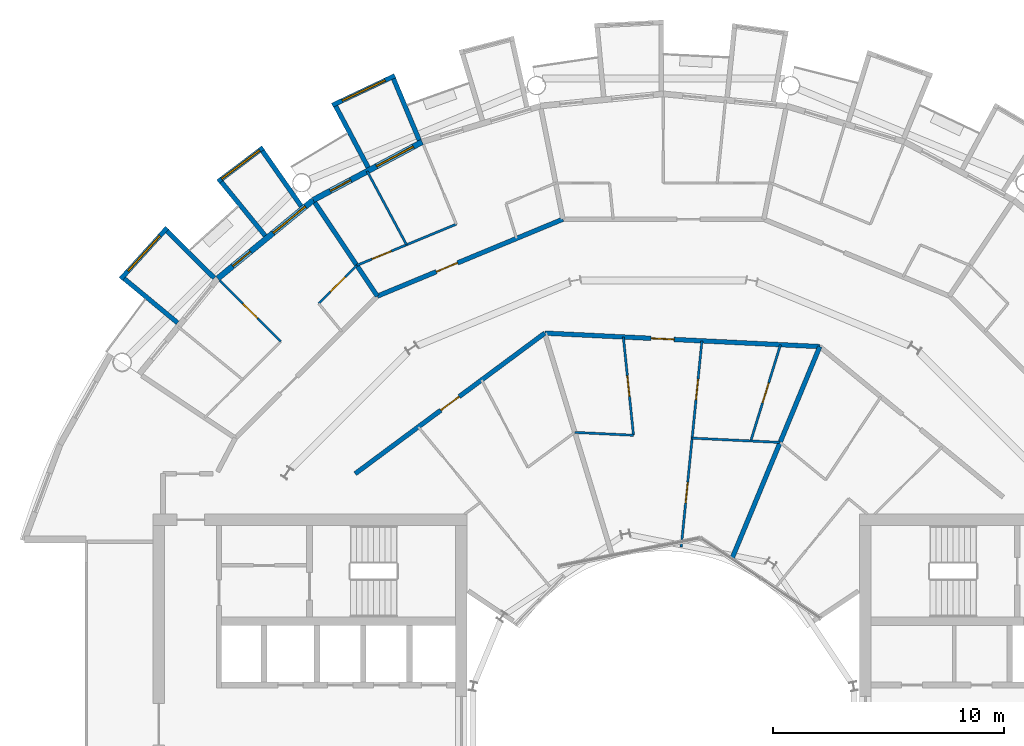
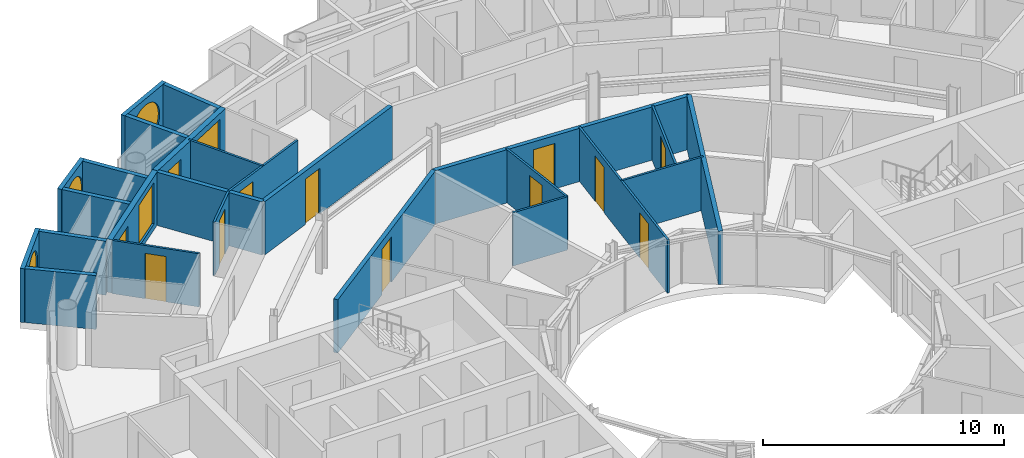
# One storey, part 20 of 27: 25 walls, 12 doors, 5 windows, 17 openings.
"""IFC4 building model written with IfcOpenShell, lengths in metres."""

import ifcopenshell
import ifcopenshell.guid

model = None  # the IFC model being written
_history = None  # IfcOwnerHistory: only IFC2X3 demands one
_inside = {}  # id of a spatial element -> (the spatial element, [elements in it])
_under = {}  # id of a project, library or spatial element -> (it, [spatial elements below it])
_declared = {}  # id of a project -> (the project, [libraries it declares])
_typed = {}  # id of a type object -> (the type object, [elements of that type])
_made_of = {}  # id of a material, layer set ... -> (it, [elements and type objects made of it])


def new_model(schema):
    """Start an empty IFC model of exactly this schema.

    Asked for "IFC4X3", IfcOpenShell would pick the latest addendum, in which some entities
    have other attributes; the version numbers below select the first issue.
    IFC2X3 requires an IfcOwnerHistory on every rooted entity: one is made here for all.
    """
    global model, _history
    if schema == "IFC4X3":
        model = ifcopenshell.file(schema_version=(4, 3, 0, 0))
    else:
        model = ifcopenshell.file(schema=schema)
    _inside.clear()
    _under.clear()
    _declared.clear()
    _typed.clear()
    _made_of.clear()
    _history = None
    if model.schema == "IFC2X3":
        org = make("IfcOrganization", Name="unknown")
        user = make(
            "IfcPersonAndOrganization",
            ThePerson=make("IfcPerson", FamilyName="unknown"),
            TheOrganization=org,
        )
        app = make(
            "IfcApplication",
            ApplicationDeveloper=org,
            Version="unknown",
            ApplicationFullName="unknown",
            ApplicationIdentifier="unknown",
        )
        _history = make(
            "IfcOwnerHistory",
            OwningUser=user,
            OwningApplication=app,
            ChangeAction="ADDED",
            CreationDate=0,
        )
    return model


def make(cls, **values):
    """One entity of the class cls with the attributes given. An attribute that is None is left unset."""
    return model.create_entity(
        cls, **{name: value for name, value in values.items() if value is not None}
    )


def rooted(cls, **values):
    """An entity with a GlobalId (a new one), such as an element, a storey or a relation."""
    return make(cls, GlobalId=ifcopenshell.guid.new(), OwnerHistory=_history, **values)


def si_unit(unit_type, name, prefix=None):
    """IfcSIUnit, for example si_unit("LENGTHUNIT", "METRE", prefix="MILLI")."""
    return make("IfcSIUnit", UnitType=unit_type, Prefix=prefix, Name=name)


def assignment(units):
    """IfcUnitAssignment: the units of a project."""
    return None if units is None else make("IfcUnitAssignment", Units=units)


def point(xyz):
    """IfcCartesianPoint."""
    return None if xyz is None else make("IfcCartesianPoint", Coordinates=xyz)


def direction(xyz):
    """IfcDirection."""
    return None if xyz is None else make("IfcDirection", DirectionRatios=xyz)


def frame(location, z_axis=None, x_axis=None):
    """IfcAxis2Placement3D, a coordinate frame: its origin and axes. An axis left out is left unset."""
    return make(
        "IfcAxis2Placement3D",
        Location=point(location),
        Axis=direction(z_axis),
        RefDirection=direction(x_axis),
    )


def frame_2d(location, x_axis=None):
    """IfcAxis2Placement2D, a coordinate frame in the plane: its origin and x axis."""
    return make(
        "IfcAxis2Placement2D", Location=point(location), RefDirection=direction(x_axis)
    )


def origin():
    """The frame at (0, 0, 0) with its axes left unset."""
    return frame((0.0, 0.0, 0.0))


def place(relative_to, where):
    """IfcLocalPlacement: puts the frame where relative to a parent placement (None: the world)."""
    return make(
        "IfcLocalPlacement", PlacementRelTo=relative_to, RelativePlacement=where
    )


def context(
    kind, dimensions, precision=None, world=None, true_north=None, identifier=None
):
    """IfcGeometricRepresentationContext, for example the 3D "Model" context."""
    return make(
        "IfcGeometricRepresentationContext",
        ContextIdentifier=identifier,
        ContextType=kind,
        CoordinateSpaceDimension=dimensions,
        Precision=precision,
        WorldCoordinateSystem=world,
        TrueNorth=true_north,
    )


def subcontext(parent, identifier, kind, view, scale=None):
    """IfcGeometricRepresentationSubContext, for example "Body" below "Model"."""
    return make(
        "IfcGeometricRepresentationSubContext",
        ContextIdentifier=identifier,
        ContextType=kind,
        ParentContext=parent,
        TargetScale=scale,
        TargetView=view,
    )


def project(units=None, contexts=None):
    """IfcProject with its units and contexts."""
    return rooted(
        "IfcProject",
        Name="project",
        RepresentationContexts=contexts,
        UnitsInContext=assignment(units),
    )


def spatial(cls, under=None, at=None, **own):
    """A site, building, storey or space (cls), placed at a placement, below another one or the project."""
    s = rooted(cls, ObjectPlacement=at, **own)
    if under is not None:
        _under.setdefault(under.id(), (under, []))[1].append(s)
    return s


def profile(cls, at=None, kind="AREA", **sizes):
    """A parametric profile (cls). Its sizes go by their IFC names, for example OverallWidth=200.0."""
    return make(cls, ProfileType=kind, Position=at, **sizes)


def rectangle(**sizes):
    """IfcRectangleProfileDef."""
    return profile("IfcRectangleProfileDef", **sizes)


def circle(**sizes):
    """IfcCircleProfileDef."""
    return profile("IfcCircleProfileDef", **sizes)


def extrude(swept, where, along, depth):
    """IfcExtrudedAreaSolid: the profile swept, set in the frame where, extruded along a direction by depth."""
    return make(
        "IfcExtrudedAreaSolid",
        SweptArea=swept,
        Position=where,
        ExtrudedDirection=direction(along),
        Depth=depth,
    )


def shape(context_of_items, identifier, shape_type, items):
    """IfcShapeRepresentation: the items that make up one representation, for example the "Body"."""
    return make(
        "IfcShapeRepresentation",
        ContextOfItems=context_of_items,
        RepresentationIdentifier=identifier,
        RepresentationType=shape_type,
        Items=items,
    )


def material(Name=None, Category=None):
    """IfcMaterial."""
    return make("IfcMaterial", Name=Name, Category=Category)


def layer(
    of_material, thickness, ventilated=None, Name=None, Category=None, Priority=None
):
    """IfcMaterialLayer: one layer of a wall or slab, of a material (None: an air gap)."""
    return make(
        "IfcMaterialLayer",
        Material=of_material,
        LayerThickness=thickness,
        IsVentilated=ventilated,
        Name=Name,
        Category=Category,
        Priority=Priority,
    )


def layer_set(layers, Name=None):
    """IfcMaterialLayerSet."""
    return make("IfcMaterialLayerSet", MaterialLayers=layers, LayerSetName=Name)


def made_of(thing, what):
    """Note that an element or type object is made of a material, layer set ...; save() writes the relation."""
    if what is not None:
        _made_of.setdefault(what.id(), (what, []))[1].append(thing)
    return thing


def type_object(cls, material=None, **own):
    """A type object (cls), such as IfcWallType, which elements share."""
    return made_of(rooted(cls, **own), material)


def element(
    cls,
    number,
    at=None,
    inside=None,
    cuts=None,
    type_object=None,
    material=None,
    context=None,
    identifier="Body",
    shape_type=None,
    held_by="IfcProductDefinitionShape",
    body=None,
    shapes=None,
    **own,
):
    """One element of the class cls, such as IfcWall. Its Tag is "e" and its number.

    at: its placement. inside: the storey or other place that contains it. cuts: it is an
    opening in that element (IfcRelVoidsElement). A single representation is given by context,
    identifier, shape_type and body (its items); several are given by shapes. held_by: the class
    of the entity that holds the representations. save() writes the other relations.
    """
    e = rooted(cls, Tag="e%d" % number, ObjectPlacement=at, **own)
    if body is not None:
        shapes = [shape(context, identifier, shape_type, body)]
    if shapes is not None:
        e.Representation = make(held_by, Representations=shapes)
    if inside is not None:
        _inside.setdefault(inside.id(), (inside, []))[1].append(e)
    if cuts is not None:
        rooted(
            "IfcRelVoidsElement", RelatingBuildingElement=cuts, RelatedOpeningElement=e
        )
    if type_object is not None:
        _typed.setdefault(type_object.id(), (type_object, []))[1].append(e)
    return made_of(e, material)


def fill(opening, filler):
    """IfcRelFillsElement: the door or window that sits in an opening."""
    return rooted(
        "IfcRelFillsElement",
        RelatingOpeningElement=opening,
        RelatedBuildingElement=filler,
    )


def aggregate(whole, parts):
    """IfcRelAggregates: a whole, such as a stair, and the parts it consists of."""
    return rooted("IfcRelAggregates", RelatingObject=whole, RelatedObjects=parts)


def save(model, path):
    """Write the relations noted so far, then the file.

    IfcRelAggregates (storeys below a building ...), IfcRelContainedInSpatialStructure (elements
    in a storey), IfcRelDefinesByType, IfcRelAssociatesMaterial and IfcRelDeclares: one each for
    every whole, place, type object, material and project.
    """
    for whole, parts in _under.values():
        aggregate(whole, parts)
    for where, things in _inside.values():
        rooted(
            "IfcRelContainedInSpatialStructure",
            RelatedElements=things,
            RelatingStructure=where,
        )
    for kind, things in _typed.values():
        rooted("IfcRelDefinesByType", RelatedObjects=things, RelatingType=kind)
    for what, things in _made_of.values():
        rooted("IfcRelAssociatesMaterial", RelatedObjects=things, RelatingMaterial=what)
    for by, libraries in _declared.values():
        rooted("IfcRelDeclares", RelatingContext=by, RelatedDefinitions=libraries)
    model.write(path)


model = new_model("IFC4")

# Units and contexts
model_context = context("Model", 3, precision=1e-05, world=origin(), true_north=direction((0.0, 1.0)))
body_context = subcontext(model_context, "Body", "Model", "MODEL_VIEW")
ifc_project = project(units=[si_unit("LENGTHUNIT", "METRE"), si_unit("AREAUNIT", "SQUARE_METRE"), si_unit("VOLUMEUNIT", "CUBIC_METRE"), si_unit("PLANEANGLEUNIT", "RADIAN"), si_unit("MASSUNIT", "GRAM", prefix="KILO")], contexts=[model_context])

# Site, building, storey
site_placement = place(None, origin())
site = spatial("IfcSite", under=ifc_project, at=site_placement, CompositionType="ELEMENT")
building_placement = place(site_placement, origin())
building = spatial("IfcBuilding", under=site, at=building_placement, Name="Maasbend Ring Residences", CompositionType="ELEMENT")
storey_placement = place(building_placement, frame((0.0, 0.0, 167.699951171875)))
storey = spatial("IfcBuildingStorey", under=building, at=storey_placement, Name="L48", CompositionType="ELEMENT", Elevation=167.699951171875)

# Wall, opening, door
ifc_material_1 = material(Name="Concrete C30/37", Category="concrete")
ifc_layer_1 = layer(ifc_material_1, 0.199951171875)
ifc_layer_set_1 = layer_set([ifc_layer_1], Name="Concrete C30/37")
wall_type_1 = type_object("IfcWallType", Name="CORRIDOR WALL 200 CONCRETE", PredefinedType="PARTITIONING", material=ifc_layer_set_1)
wall_1_placement = place(storey_placement, frame((-13.34912109375, 10.847900390625, 0.0), z_axis=(0.0, 0.0, 1.0), x_axis=(0.803229232922, 0.595670042371, 0.0)))
wall_1 = element("IfcWall", 1, at=wall_1_placement, inside=storey, type_object=wall_type_1, Name="U-L48-w104", PredefinedType="PARTITIONING", context=body_context, shape_type="SweptSolid", body=[
    extrude(rectangle(XDim=10.223876953125, YDim=0.199951171875, at=frame_2d((5.11181640625, 0.0))), origin(), (0.0, 0.0, 1.0), 2.699951171875),
])
opening_1_placement = place(wall_1_placement, frame((4.612060546875, 0.0, 0.0)))
opening_1 = element("IfcOpeningElement", 2, at=opening_1_placement, cuts=wall_1, Name="Opening D-4830", PredefinedType="OPENING", context=body_context, shape_type="SweptSolid", body=[
    extrude(rectangle(XDim=1.0, YDim=2.300048828125, at=frame_2d((0.5, 1.14990234375))), frame((0.0, 0.10986328125, 0.0), z_axis=(0.0, -1.0, 0.0), x_axis=(1.0, 0.0, 0.0)), (0.0, 0.0, 1.0), 0.219970703125),
])
ifc_material_2 = material(Name="Timber, fire-rated, painted", Category="wood")
door_type_1 = type_object("IfcDoorType", Name="FLAT ENTRANCE DOOR 1000 X 2300 FIRE-RATED", OperationType="NOTDEFINED", PredefinedType="DOOR", material=ifc_material_2)
door_1_placement = place(opening_1_placement, origin())
door_1 = element("IfcDoor", 3, at=door_1_placement, inside=storey, type_object=door_type_1, Name="D-4830", OperationType="SINGLE_SWING_LEFT", OverallHeight=2.300048828125, OverallWidth=1.0, PredefinedType="DOOR", context=body_context, shape_type="SweptSolid", body=[
    extrude(rectangle(XDim=1.0, YDim=2.300048828125, at=frame_2d((0.5, 1.14990234375))), frame((0.0, 0.02490234375, 0.0), z_axis=(0.0, -1.0, 0.0), x_axis=(1.0, 0.0, 0.0)), (0.0, 0.0, 1.0), 0.050048828125),
])
fill(opening_1, door_1)

wall_2_placement = place(storey_placement, frame((-5.136962890625, 16.93798828125, 0.0), z_axis=(0.0, 0.0, 1.0), x_axis=(0.99879704719, -0.04903527836, 0.0)))
wall_2 = element("IfcWall", 4, at=wall_2_placement, inside=storey, type_object=wall_type_1, Name="U-L48-w105", PredefinedType="PARTITIONING", context=body_context, shape_type="SweptSolid", body=[
    extrude(rectangle(XDim=11.929443359375, YDim=0.199951171875, at=frame_2d((5.96484375, 0.0))), origin(), (0.0, 0.0, 1.0), 2.699951171875),
])
opening_2_placement = place(wall_2_placement, frame((4.60791015625, 0.0, 0.0)))
opening_2 = element("IfcOpeningElement", 5, at=opening_2_placement, cuts=wall_2, Name="Opening D-4825", PredefinedType="OPENING", context=body_context, shape_type="SweptSolid", body=[
    extrude(rectangle(XDim=1.0, YDim=2.300048828125, at=frame_2d((0.5, 1.14990234375))), frame((0.0, 0.10986328125, 0.0), z_axis=(0.0, -1.0, 0.0), x_axis=(1.0, 0.0, 0.0)), (0.0, 0.0, 1.0), 0.219970703125),
])
door_2_placement = place(opening_2_placement, origin())
door_2 = element("IfcDoor", 6, at=door_2_placement, inside=storey, type_object=door_type_1, Name="D-4825", OperationType="SINGLE_SWING_LEFT", OverallHeight=2.300048828125, OverallWidth=1.0, PredefinedType="DOOR", context=body_context, shape_type="SweptSolid", body=[
    extrude(rectangle(XDim=1.0, YDim=2.300048828125, at=frame_2d((0.5, 1.14990234375))), frame((0.0, 0.02490234375, 0.0), z_axis=(0.0, -1.0, 0.0), x_axis=(1.0, 0.0, 0.0)), (0.0, 0.0, 1.0), 0.050048828125),
])
fill(opening_2, door_2)

wall_3_placement = place(storey_placement, frame((-12.39599609375, 18.535888671875, 0.0), z_axis=(0.0, 0.0, 1.0), x_axis=(0.923722518166, 0.383062278792, 0.0)))
wall_3 = element("IfcWall", 7, at=wall_3_placement, inside=storey, type_object=wall_type_1, Name="U-L48-w110", PredefinedType="PARTITIONING", context=body_context, shape_type="SweptSolid", body=[
    extrude(rectangle(XDim=8.709228515625, YDim=0.199951171875, at=frame_2d((4.3544921875, 0.0))), origin(), (0.0, 0.0, 1.0), 2.699951171875),
])
opening_3_placement = place(wall_3_placement, frame((2.77197265625, 0.0, 0.0)))
opening_3 = element("IfcOpeningElement", 8, at=opening_3_placement, cuts=wall_3, Name="Opening D-4813", PredefinedType="OPENING", context=body_context, shape_type="SweptSolid", body=[
    extrude(rectangle(XDim=1.0, YDim=2.300048828125, at=frame_2d((0.5, 1.14990234375))), frame((0.0, 0.10986328125, 0.0), z_axis=(0.0, -1.0, 0.0), x_axis=(1.0, 0.0, 0.0)), (0.0, 0.0, 1.0), 0.219970703125),
])
door_3_placement = place(opening_3_placement, origin())
door_3 = element("IfcDoor", 9, at=door_3_placement, inside=storey, type_object=door_type_1, Name="D-4813", OperationType="SINGLE_SWING_LEFT", OverallHeight=2.300048828125, OverallWidth=1.0, PredefinedType="DOOR", context=body_context, shape_type="SweptSolid", body=[
    extrude(rectangle(XDim=1.0, YDim=2.300048828125, at=frame_2d((0.5, 1.14990234375))), frame((0.0, 0.02490234375, 0.0), z_axis=(0.0, -1.0, 0.0), x_axis=(1.0, 0.0, 0.0)), (0.0, 0.0, 1.0), 0.050048828125),
])
fill(opening_3, door_3)

# Wall, opening, window
ifc_material_3 = material(Name="Pale anodised aluminium panel", Category="aluminium")
ifc_layer_2 = layer(ifc_material_3, 0.199951171875)
ifc_layer_set_2 = layer_set([ifc_layer_2], Name="EW-BOX")
wall_type_2 = type_object("IfcWallType", Name="EW-BOX", PredefinedType="SOLIDWALL", material=ifc_layer_set_2)
wall_4_placement = place(storey_placement, frame((-11.62890625, 28.087890625, -0.030029296875), z_axis=(0.0, 0.0, 1.0), x_axis=(-0.904000060331, -0.427532327342, 0.0)))
wall_4 = element("IfcWall", 10, at=wall_4_placement, inside=storey, type_object=wall_type_2, Name="Box front N15", PredefinedType="SOLIDWALL", context=body_context, shape_type="SweptSolid", body=[
    extrude(rectangle(XDim=2.993408203125, YDim=0.199951171875, at=frame_2d((1.49658203125, 0.0))), origin(), (0.0, 0.0, 1.0), 2.72998046875),
])
opening_4_placement = place(wall_4_placement, frame((0.45654296875, 0.0, 0.330078125)))
opening_4 = element("IfcOpeningElement", 11, at=opening_4_placement, cuts=wall_4, Name="Opening W-RD", PredefinedType="OPENING", context=body_context, shape_type="SweptSolid", body=[
    extrude(circle(Radius=1.0400390625, at=frame_2d((1.0400390625, 1.0400390625))), frame((0.0, 0.10986328125, 0.0), z_axis=(0.0, -1.0, 0.0), x_axis=(1.0, 0.0, 0.0)), (0.0, 0.0, 1.0), 0.219970703125),
])
ifc_material_4 = material(Name="Aluminium and clear glass", Category="aluminium")
window_type_1 = type_object("IfcWindowType", Name="W-RD", PartitioningType="SINGLE_PANEL", PredefinedType="WINDOW", material=ifc_material_4)
window_1_placement = place(opening_4_placement, origin())
window_1 = element("IfcWindow", 12, at=window_1_placement, inside=storey, type_object=window_type_1, Name="Round window N15", OverallHeight=2.080078125, OverallWidth=2.080078125, PartitioningType="SINGLE_PANEL", PredefinedType="WINDOW", context=body_context, shape_type="SweptSolid", body=[
    extrude(circle(Radius=1.0400390625, at=frame_2d((1.0400390625, 1.0400390625))), frame((0.0, 0.030029296875, 0.0), z_axis=(0.0, -1.0, 0.0), x_axis=(1.0, 0.0, 0.0)), (0.0, 0.0, 1.0), 0.06005859375),
])
fill(opening_4, window_1)

# Walls
wall_5_placement = place(storey_placement, frame((-10.574951171875, 25.294921875, -0.030029296875), z_axis=(0.0, 0.0, 1.0), x_axis=(-0.385697364644, 0.922625353492, 0.0)))
element("IfcWall", 13, at=wall_5_placement, inside=storey, type_object=wall_type_2, Name="Box side wall N15 left", PredefinedType="SOLIDWALL", context=body_context, shape_type="SweptSolid", body=[
    extrude(rectangle(XDim=2.88330078125, YDim=0.199951171875, at=frame_2d((1.441650390625, 0.0))), origin(), (0.0, 0.0, 1.0), 2.72998046875),
])
wall_6_placement = place(storey_placement, frame((-12.787109375, 24.113037109375, -0.030029296875), z_axis=(0.0, 0.0, 1.0), x_axis=(-0.468365282436, 0.883534924159, 0.0)))
element("IfcWall", 14, at=wall_6_placement, inside=storey, type_object=wall_type_2, Name="Box side wall N15 right", PredefinedType="SOLIDWALL", context=body_context, shape_type="SweptSolid", body=[
    extrude(rectangle(XDim=3.006103515625, YDim=0.199951171875, at=frame_2d((1.5029296875, 0.0))), origin(), (0.0, 0.0, 1.0), 2.72998046875),
])

# Wall, opening, window
wall_7_placement = place(storey_placement, frame((-17.3369140625, 24.971923828125, -0.030029296875), z_axis=(0.0, 0.0, 1.0), x_axis=(-0.797887588059, -0.602806268067, 0.0)))
wall_7 = element("IfcWall", 15, at=wall_7_placement, inside=storey, type_object=wall_type_2, Name="Box front N17", PredefinedType="SOLIDWALL", context=body_context, shape_type="SweptSolid", body=[
    extrude(rectangle(XDim=2.446533203125, YDim=0.199951171875, at=frame_2d((1.22314453125, 0.0))), origin(), (0.0, 0.0, 1.0), 2.72998046875),
])
opening_5_placement = place(wall_7_placement, frame((0.182861328125, 0.0, 0.330078125)))
opening_5 = element("IfcOpeningElement", 16, at=opening_5_placement, cuts=wall_7, Name="Opening W-RD", PredefinedType="OPENING", context=body_context, shape_type="SweptSolid", body=[
    extrude(circle(Radius=1.0400390625, at=frame_2d((1.0400390625, 1.0400390625))), frame((0.0, 0.10986328125, 0.0), z_axis=(0.0, -1.0, 0.0), x_axis=(1.0, 0.0, 0.0)), (0.0, 0.0, 1.0), 0.219970703125),
])
window_2_placement = place(opening_5_placement, origin())
window_2 = element("IfcWindow", 17, at=window_2_placement, inside=storey, type_object=window_type_1, Name="Round window N17", OverallHeight=2.080078125, OverallWidth=2.080078125, PartitioningType="SINGLE_PANEL", PredefinedType="WINDOW", context=body_context, shape_type="SweptSolid", body=[
    extrude(circle(Radius=1.0400390625, at=frame_2d((1.0400390625, 1.0400390625))), frame((0.0, 0.030029296875, 0.0), z_axis=(0.0, -1.0, 0.0), x_axis=(1.0, 0.0, 0.0)), (0.0, 0.0, 1.0), 0.06005859375),
])
fill(opening_5, window_2)

# Walls
wall_8_placement = place(storey_placement, frame((-15.68798828125, 22.43310546875, -0.030029296875), z_axis=(0.0, 0.0, 1.0), x_axis=(-0.573260687834, 0.819373043115, 0.0)))
element("IfcWall", 18, at=wall_8_placement, inside=storey, type_object=wall_type_2, Name="Box side wall N17 left", PredefinedType="SOLIDWALL", context=body_context, shape_type="SweptSolid", body=[
    extrude(rectangle(XDim=2.92529296875, YDim=0.199951171875, at=frame_2d((1.462646484375, 0.0))), origin(), (0.0, 0.0, 1.0), 2.72998046875),
])
wall_9_placement = place(storey_placement, frame((-17.24609375, 21.155029296875, -0.030029296875), z_axis=(0.0, 0.0, 1.0), x_axis=(-0.631741648902, 0.775179004516, 0.0)))
element("IfcWall", 19, at=wall_9_placement, inside=storey, type_object=wall_type_2, Name="Box side wall N17 right", PredefinedType="SOLIDWALL", context=body_context, shape_type="SweptSolid", body=[
    extrude(rectangle(XDim=3.005859375, YDim=0.199951171875, at=frame_2d((1.5029296875, 0.0))), origin(), (0.0, 0.0, 1.0), 2.72998046875),
])

# Wall, opening, window
wall_10_placement = place(storey_placement, frame((-21.492919921875, 21.5, -0.030029296875), z_axis=(0.0, 0.0, 1.0), x_axis=(-0.671506829416, -0.740998365753, 0.0)))
wall_10 = element("IfcWall", 20, at=wall_10_placement, inside=storey, type_object=wall_type_2, Name="Box front N19", PredefinedType="SOLIDWALL", context=body_context, shape_type="SweptSolid", body=[
    extrude(rectangle(XDim=2.9931640625, YDim=0.199951171875, at=frame_2d((1.49658203125, 0.0))), origin(), (0.0, 0.0, 1.0), 2.72998046875),
])
opening_6_placement = place(wall_10_placement, frame((0.45654296875, 0.0, 0.330078125)))
opening_6 = element("IfcOpeningElement", 21, at=opening_6_placement, cuts=wall_10, Name="Opening W-RD", PredefinedType="OPENING", context=body_context, shape_type="SweptSolid", body=[
    extrude(circle(Radius=1.0400390625, at=frame_2d((1.0400390625, 1.0400390625))), frame((0.0, 0.10986328125, 0.0), z_axis=(0.0, -1.0, 0.0), x_axis=(1.0, 0.0, 0.0)), (0.0, 0.0, 1.0), 0.219970703125),
])
window_3_placement = place(opening_6_placement, origin())
window_3 = element("IfcWindow", 22, at=window_3_placement, inside=storey, type_object=window_type_1, Name="Round window N19", OverallHeight=2.080078125, OverallWidth=2.080078125, PartitioningType="SINGLE_PANEL", PredefinedType="WINDOW", context=body_context, shape_type="SweptSolid", body=[
    extrude(circle(Radius=1.0400390625, at=frame_2d((1.0400390625, 1.0400390625))), frame((0.0, 0.030029296875, 0.0), z_axis=(0.0, -1.0, 0.0), x_axis=(1.0, 0.0, 0.0)), (0.0, 0.0, 1.0), 0.06005859375),
])
fill(opening_6, window_3)

# Walls
wall_11_placement = place(storey_placement, frame((-19.449951171875, 19.322998046875, -0.030029296875), z_axis=(0.0, 0.0, 1.0), x_axis=(-0.709727076896, 0.704476739375, 0.0)))
element("IfcWall", 23, at=wall_11_placement, inside=storey, type_object=wall_type_2, Name="Box side wall N19 left", PredefinedType="SOLIDWALL", context=body_context, shape_type="SweptSolid", body=[
    extrude(rectangle(XDim=2.883056640625, YDim=0.199951171875, at=frame_2d((1.44140625, 0.0))), origin(), (0.0, 0.0, 1.0), 2.72998046875),
])
wall_12_placement = place(storey_placement, frame((-21.041015625, 17.384033203125, -0.030029296875), z_axis=(0.0, 0.0, 1.0), x_axis=(-0.770784861449, 0.63709551667, 0.0)))
element("IfcWall", 24, at=wall_12_placement, inside=storey, type_object=wall_type_2, Name="Box side wall N19 right", PredefinedType="SOLIDWALL", context=body_context, shape_type="SweptSolid", body=[
    extrude(rectangle(XDim=3.005859375, YDim=0.199951171875, at=frame_2d((1.5029296875, 0.0))), origin(), (0.0, 0.0, 1.0), 2.72998046875),
])

# Wall, openings, door, window
ifc_material_5 = material(Name="Aluminium clad insulated panel", Category="aluminium")
ifc_layer_3 = layer(ifc_material_5, 0.25)
ifc_layer_set_3 = layer_set([ifc_layer_3], Name="EW-GL")
wall_type_3 = type_object("IfcWallType", Name="EW-GL", PredefinedType="SOLIDWALL", material=ifc_layer_set_3)
wall_13_placement = place(storey_placement, frame((-10.447021484375, 25.221923828125, 0.0), z_axis=(0.0, 0.0, 1.0), x_axis=(-0.881915646801, -0.471407246368, 0.0)))
wall_13 = element("IfcWall", 25, at=wall_13_placement, inside=storey, type_object=wall_type_3, Name="External wall N08", PredefinedType="SOLIDWALL", context=body_context, shape_type="SweptSolid", body=[
    extrude(rectangle(XDim=5.35205078125, YDim=0.25, at=frame_2d((2.676025390625, 0.0))), origin(), (0.0, 0.0, 1.0), 2.699951171875),
])
opening_7_placement = place(wall_13_placement, frame((0.441162109375, 0.0, 0.300048828125)))
opening_7 = element("IfcOpeningElement", 26, at=opening_7_placement, cuts=wall_13, Name="Opening W-BX", PredefinedType="OPENING", context=body_context, shape_type="SweptSolid", body=[
    extrude(rectangle(XDim=1.800048828125, YDim=2.10009765625, at=frame_2d((0.89990234375, 1.050048828125))), frame((0.0, 0.135009765625, 0.0), z_axis=(0.0, -1.0, 0.0), x_axis=(1.0, 0.0, 0.0)), (0.0, 0.0, 1.0), 0.27001953125),
])
opening_8_placement = place(wall_13_placement, frame((3.510498046875, 0.0, 0.0)))
opening_8 = element("IfcOpeningElement", 27, at=opening_8_placement, cuts=wall_13, Name="Opening D-LG", PredefinedType="OPENING", context=body_context, shape_type="SweptSolid", body=[
    extrude(rectangle(XDim=1.0, YDim=2.199951171875, at=frame_2d((0.5, 1.10009765625))), frame((0.0, 0.135009765625, 0.0), z_axis=(0.0, -1.0, 0.0), x_axis=(1.0, 0.0, 0.0)), (0.0, 0.0, 1.0), 0.27001953125),
])
ifc_material_6 = material(Name="Aluminium and clear glass", Category="aluminium")
door_type_2 = type_object("IfcDoorType", Name="D-LG", OperationType="SINGLE_SWING_LEFT", PredefinedType="DOOR", material=ifc_material_6)
door_4_placement = place(opening_8_placement, origin())
door_4 = element("IfcDoor", 28, at=door_4_placement, inside=storey, type_object=door_type_2, Name="Loggia door N16", OperationType="SINGLE_SWING_LEFT", OverallHeight=2.199951171875, OverallWidth=1.0, PredefinedType="DOOR", context=body_context, shape_type="SweptSolid", body=[
    extrude(rectangle(XDim=1.0, YDim=2.199951171875, at=frame_2d((0.5, 1.10009765625))), frame((0.0, 0.02490234375, 0.0), z_axis=(0.0, -1.0, 0.0), x_axis=(1.0, 0.0, 0.0)), (0.0, 0.0, 1.0), 0.050048828125),
])
fill(opening_8, door_4)
ifc_material_7 = material(Name="Aluminium and clear glass", Category="aluminium")
window_type_2 = type_object("IfcWindowType", Name="W-BX", PartitioningType="DOUBLE_PANEL_VERTICAL", PredefinedType="WINDOW", material=ifc_material_7)
window_4_placement = place(opening_7_placement, origin())
window_4 = element("IfcWindow", 29, at=window_4_placement, inside=storey, type_object=window_type_2, Name="Window N15 room to box", OverallHeight=2.10009765625, OverallWidth=1.800048828125, PartitioningType="SINGLE_PANEL", PredefinedType="WINDOW", context=body_context, shape_type="SweptSolid", body=[
    extrude(rectangle(XDim=1.800048828125, YDim=2.10009765625, at=frame_2d((0.89990234375, 1.050048828125))), frame((0.0, 0.030029296875, 0.0), z_axis=(0.0, -1.0, 0.0), x_axis=(1.0, 0.0, 0.0)), (0.0, 0.0, 1.0), 0.06005859375),
])
fill(opening_7, window_4)

wall_14_placement = place(storey_placement, frame((-15.1669921875, 22.698974609375, 0.0), z_axis=(0.0, 0.0, 1.0), x_axis=(-0.773019449054, -0.634382322723, 0.0)))
wall_14 = element("IfcWall", 30, at=wall_14_placement, inside=storey, type_object=wall_type_3, Name="External wall N09", PredefinedType="SOLIDWALL", context=body_context, shape_type="SweptSolid", body=[
    extrude(rectangle(XDim=5.351806640625, YDim=0.25, at=frame_2d((2.67578125, 0.0))), origin(), (0.0, 0.0, 1.0), 2.699951171875),
])
opening_9_placement = place(wall_14_placement, frame((0.441162109375, 0.0, 0.300048828125)))
opening_9 = element("IfcOpeningElement", 31, at=opening_9_placement, cuts=wall_14, Name="Opening W-BX", PredefinedType="OPENING", context=body_context, shape_type="SweptSolid", body=[
    extrude(rectangle(XDim=1.800048828125, YDim=2.10009765625, at=frame_2d((0.89990234375, 1.050048828125))), frame((0.0, 0.135009765625, 0.0), z_axis=(0.0, -1.0, 0.0), x_axis=(1.0, 0.0, 0.0)), (0.0, 0.0, 1.0), 0.27001953125),
])
opening_10_placement = place(wall_14_placement, frame((3.510498046875, 0.0, 0.0)))
opening_10 = element("IfcOpeningElement", 32, at=opening_10_placement, cuts=wall_14, Name="Opening D-LG", PredefinedType="OPENING", context=body_context, shape_type="SweptSolid", body=[
    extrude(rectangle(XDim=1.0, YDim=2.199951171875, at=frame_2d((0.5, 1.10009765625))), frame((0.0, 0.135009765625, 0.0), z_axis=(0.0, -1.0, 0.0), x_axis=(1.0, 0.0, 0.0)), (0.0, 0.0, 1.0), 0.27001953125),
])
door_5_placement = place(opening_10_placement, origin())
door_5 = element("IfcDoor", 33, at=door_5_placement, inside=storey, type_object=door_type_2, Name="Loggia door N18", OperationType="SINGLE_SWING_LEFT", OverallHeight=2.199951171875, OverallWidth=1.0, PredefinedType="DOOR", context=body_context, shape_type="SweptSolid", body=[
    extrude(rectangle(XDim=1.0, YDim=2.199951171875, at=frame_2d((0.5, 1.10009765625))), frame((0.0, 0.02490234375, 0.0), z_axis=(0.0, -1.0, 0.0), x_axis=(1.0, 0.0, 0.0)), (0.0, 0.0, 1.0), 0.050048828125),
])
fill(opening_10, door_5)
window_5_placement = place(opening_9_placement, origin())
window_5 = element("IfcWindow", 34, at=window_5_placement, inside=storey, type_object=window_type_2, Name="Window N17 room to box", OverallHeight=2.10009765625, OverallWidth=1.800048828125, PartitioningType="SINGLE_PANEL", PredefinedType="WINDOW", context=body_context, shape_type="SweptSolid", body=[
    extrude(rectangle(XDim=1.800048828125, YDim=2.10009765625, at=frame_2d((0.89990234375, 1.050048828125))), frame((0.0, 0.030029296875, 0.0), z_axis=(0.0, -1.0, 0.0), x_axis=(1.0, 0.0, 0.0)), (0.0, 0.0, 1.0), 0.06005859375),
])
fill(opening_9, window_5)

# Wall, opening, door
ifc_material_8 = material(Name="Gypsum board on steel studs", Category="steel")
ifc_layer_4 = layer(ifc_material_8, 0.10009765625)
ifc_layer_set_4 = layer_set([ifc_layer_4], Name="PARTITION 100 GYPSUM")
wall_type_4 = type_object("IfcWallType", Name="PARTITION 100 GYPSUM", PredefinedType="PARTITIONING", material=ifc_layer_set_4)
wall_15_placement = place(storey_placement, frame((-19.216064453125, 19.216064453125, 0.0), z_axis=(0.0, 0.0, 1.0), x_axis=(0.707106781187, -0.707106781187, 0.0)))
wall_15 = element("IfcWall", 35, at=wall_15_placement, inside=storey, type_object=wall_type_4, Name="U-L48-w039", PredefinedType="PARTITIONING", context=body_context, shape_type="SweptSolid", body=[
    extrude(rectangle(XDim=3.735107421875, YDim=0.10009765625, at=frame_2d((1.86767578125, 0.0))), origin(), (0.0, 0.0, 1.0), 2.699951171875),
])
opening_11_placement = place(wall_15_placement, frame((1.4169921875, 0.0, 0.0)))
opening_11 = element("IfcOpeningElement", 36, at=opening_11_placement, cuts=wall_15, Name="Opening D-4819", PredefinedType="OPENING", context=body_context, shape_type="SweptSolid", body=[
    extrude(rectangle(XDim=0.89990234375, YDim=2.300048828125, at=frame_2d((0.449951171875, 1.14990234375))), frame((0.0, 0.06005859375, 0.0), z_axis=(0.0, -1.0, 0.0), x_axis=(1.0, 0.0, 0.0)), (0.0, 0.0, 1.0), 0.1201171875),
])
ifc_material_9 = material(Name="Timber, painted", Category="wood")
door_type_3 = type_object("IfcDoorType", Name="INTERNAL DOOR 900 X 2300", OperationType="NOTDEFINED", PredefinedType="DOOR", material=ifc_material_9)
door_6_placement = place(opening_11_placement, origin())
door_6 = element("IfcDoor", 37, at=door_6_placement, inside=storey, type_object=door_type_3, Name="D-4819", OperationType="SINGLE_SWING_LEFT", OverallHeight=2.300048828125, OverallWidth=0.89990234375, PredefinedType="DOOR", context=body_context, shape_type="SweptSolid", body=[
    extrude(rectangle(XDim=0.89990234375, YDim=2.300048828125, at=frame_2d((0.449951171875, 1.14990234375))), frame((0.0, 0.02490234375, 0.0), z_axis=(0.0, -1.0, 0.0), x_axis=(1.0, 0.0, 0.0)), (0.0, 0.0, 1.0), 0.050048828125),
])
fill(opening_11, door_6)

# Wall
wall_16_placement = place(storey_placement, frame((-12.8330078125, 23.9541015625, 0.0), z_axis=(0.0, 0.0, 1.0), x_axis=(0.472212052488, -0.881484984265, 0.0)))
element("IfcWall", 38, at=wall_16_placement, inside=storey, type_object=wall_type_4, Name="U-L48-w046", PredefinedType="PARTITIONING", context=body_context, shape_type="SweptSolid", body=[
    extrude(rectangle(XDim=3.619140625, YDim=0.10009765625, at=frame_2d((1.8095703125, 0.0))), origin(), (0.0, 0.0, 1.0), 2.699951171875),
])

# Wall, opening, door
wall_17_placement = place(storey_placement, frame((-1.735107421875, 16.77099609375, 0.0), z_axis=(0.0, 0.0, 1.0), x_axis=(0.102875790791, -0.994694210131, 0.0)))
wall_17 = element("IfcWall", 39, at=wall_17_placement, inside=storey, type_object=wall_type_4, Name="U-L48-w061", PredefinedType="PARTITIONING", context=body_context, shape_type="SweptSolid", body=[
    extrude(rectangle(XDim=4.27880859375, YDim=0.10009765625, at=frame_2d((2.139404296875, 0.0))), origin(), (0.0, 0.0, 1.0), 2.699951171875),
])
opening_12_placement = place(wall_17_placement, frame((1.68896484375, 0.0, 0.0)))
opening_12 = element("IfcOpeningElement", 40, at=opening_12_placement, cuts=wall_17, Name="Opening D-4826", PredefinedType="OPENING", context=body_context, shape_type="SweptSolid", body=[
    extrude(rectangle(XDim=0.89990234375, YDim=2.300048828125, at=frame_2d((0.449951171875, 1.14990234375))), frame((0.0, 0.06005859375, 0.0), z_axis=(0.0, -1.0, 0.0), x_axis=(1.0, 0.0, 0.0)), (0.0, 0.0, 1.0), 0.1201171875),
])
door_7_placement = place(opening_12_placement, origin())
door_7 = element("IfcDoor", 41, at=door_7_placement, inside=storey, type_object=door_type_3, Name="D-4826", OperationType="SINGLE_SWING_LEFT", OverallHeight=2.300048828125, OverallWidth=0.89990234375, PredefinedType="DOOR", context=body_context, shape_type="SweptSolid", body=[
    extrude(rectangle(XDim=0.89990234375, YDim=2.300048828125, at=frame_2d((0.449951171875, 1.14990234375))), frame((0.0, 0.02490234375, 0.0), z_axis=(0.0, -1.0, 0.0), x_axis=(1.0, 0.0, 0.0)), (0.0, 0.0, 1.0), 0.050048828125),
])
fill(opening_12, door_7)

# Wall, openings, doors
wall_18_placement = place(storey_placement, frame((0.77197265625, 7.680908203125, 0.0), z_axis=(0.0, 0.0, 1.0), x_axis=(0.100029361081, 0.994984485769, 0.0)))
wall_18 = element("IfcWall", 42, at=wall_18_placement, inside=storey, type_object=wall_type_4, Name="U-L48-w065", PredefinedType="PARTITIONING", context=body_context, shape_type="SweptSolid", body=[
    extrude(rectangle(XDim=8.967041015625, YDim=0.10009765625, at=frame_2d((4.4833984375, 0.0))), origin(), (0.0, 0.0, 1.0), 2.699951171875),
])
opening_13_placement = place(wall_18_placement, frame((6.39990234375, 0.0, 0.0)))
opening_13 = element("IfcOpeningElement", 43, at=opening_13_placement, cuts=wall_18, Name="Opening D-4827", PredefinedType="OPENING", context=body_context, shape_type="SweptSolid", body=[
    extrude(rectangle(XDim=0.89990234375, YDim=2.300048828125, at=frame_2d((0.449951171875, 1.14990234375))), frame((0.0, 0.06005859375, 0.0), z_axis=(0.0, -1.0, 0.0), x_axis=(1.0, 0.0, 0.0)), (0.0, 0.0, 1.0), 0.1201171875),
])
opening_14_placement = place(wall_18_placement, frame((1.9150390625, 0.0, 0.0)))
opening_14 = element("IfcOpeningElement", 44, at=opening_14_placement, cuts=wall_18, Name="Opening D-4829", PredefinedType="OPENING", context=body_context, shape_type="SweptSolid", body=[
    extrude(rectangle(XDim=0.89990234375, YDim=2.300048828125, at=frame_2d((0.449951171875, 1.14990234375))), frame((0.0, 0.06005859375, 0.0), z_axis=(0.0, -1.0, 0.0), x_axis=(1.0, 0.0, 0.0)), (0.0, 0.0, 1.0), 0.1201171875),
])
door_8_placement = place(opening_13_placement, origin())
door_8 = element("IfcDoor", 45, at=door_8_placement, inside=storey, type_object=door_type_3, Name="D-4827", OperationType="SINGLE_SWING_RIGHT", OverallHeight=2.300048828125, OverallWidth=0.89990234375, PredefinedType="DOOR", context=body_context, shape_type="SweptSolid", body=[
    extrude(rectangle(XDim=0.89990234375, YDim=2.300048828125, at=frame_2d((0.449951171875, 1.14990234375))), frame((0.0, 0.02490234375, 0.0), z_axis=(0.0, -1.0, 0.0), x_axis=(1.0, 0.0, 0.0)), (0.0, 0.0, 1.0), 0.050048828125),
])
fill(opening_13, door_8)
door_9_placement = place(opening_14_placement, origin())
door_9 = element("IfcDoor", 46, at=door_9_placement, inside=storey, type_object=door_type_3, Name="D-4829", OperationType="SINGLE_SWING_LEFT", OverallHeight=2.300048828125, OverallWidth=0.89990234375, PredefinedType="DOOR", context=body_context, shape_type="SweptSolid", body=[
    extrude(rectangle(XDim=0.89990234375, YDim=2.300048828125, at=frame_2d((0.449951171875, 1.14990234375))), frame((0.0, 0.02490234375, 0.0), z_axis=(0.0, -1.0, 0.0), x_axis=(1.0, 0.0, 0.0)), (0.0, 0.0, 1.0), 0.050048828125),
])
fill(opening_14, door_9)

# Wall, opening, door
wall_19_placement = place(storey_placement, frame((3.784912109375, 12.26611328125, 0.0), z_axis=(0.0, 0.0, 1.0), x_axis=(0.294934866503, 0.955517359612, 0.0)))
wall_19 = element("IfcWall", 47, at=wall_19_placement, inside=storey, type_object=wall_type_4, Name="U-L48-w071", PredefinedType="PARTITIONING", context=body_context, shape_type="SweptSolid", body=[
    extrude(rectangle(XDim=4.364013671875, YDim=0.10009765625, at=frame_2d((2.18212890625, 0.0))), origin(), (0.0, 0.0, 1.0), 2.699951171875),
])
opening_15_placement = place(wall_19_placement, frame((1.73193359375, 0.0, 0.0)))
opening_15 = element("IfcOpeningElement", 48, at=opening_15_placement, cuts=wall_19, Name="Opening D-4828", PredefinedType="OPENING", context=body_context, shape_type="SweptSolid", body=[
    extrude(rectangle(XDim=0.89990234375, YDim=2.300048828125, at=frame_2d((0.449951171875, 1.14990234375))), frame((0.0, 0.06005859375, 0.0), z_axis=(0.0, -1.0, 0.0), x_axis=(1.0, 0.0, 0.0)), (0.0, 0.0, 1.0), 0.1201171875),
])
door_10_placement = place(opening_15_placement, origin())
door_10 = element("IfcDoor", 49, at=door_10_placement, inside=storey, type_object=door_type_3, Name="D-4828", OperationType="SINGLE_SWING_LEFT", OverallHeight=2.300048828125, OverallWidth=0.89990234375, PredefinedType="DOOR", context=body_context, shape_type="SweptSolid", body=[
    extrude(rectangle(XDim=0.89990234375, YDim=2.300048828125, at=frame_2d((0.449951171875, 1.14990234375))), frame((0.0, 0.02490234375, 0.0), z_axis=(0.0, -1.0, 0.0), x_axis=(1.0, 0.0, 0.0)), (0.0, 0.0, 1.0), 0.050048828125),
])
fill(opening_15, door_10)

# Walls
wall_20_placement = place(storey_placement, frame((-3.839111328125, 12.637939453125, 0.0), z_axis=(0.0, 0.0, 1.0), x_axis=(0.99880915717, -0.048787985754, 0.0)))
element("IfcWall", 50, at=wall_20_placement, inside=storey, type_object=wall_type_4, Name="U-L48-w100", PredefinedType="PARTITIONING", context=body_context, shape_type="SweptSolid", body=[
    extrude(rectangle(XDim=2.5419921875, YDim=0.10009765625, at=frame_2d((1.27099609375, 0.0))), origin(), (0.0, 0.0, 1.0), 2.699951171875),
])
wall_21_placement = place(storey_placement, frame((1.239990234375, 12.389892578125, 0.0), z_axis=(0.0, 0.0, 1.0), x_axis=(0.998816217325, -0.048643231882, 0.0)))
element("IfcWall", 51, at=wall_21_placement, inside=storey, type_object=wall_type_4, Name="U-L48-w101", PredefinedType="PARTITIONING", context=body_context, shape_type="SweptSolid", body=[
    extrude(rectangle(XDim=3.819580078125, YDim=0.10009765625, at=frame_2d((1.90966796875, 0.0))), origin(), (0.0, 0.0, 1.0), 2.699951171875),
])

# Wall, opening, door
wall_22_placement = place(storey_placement, frame((-14.931884765625, 18.218017578125, 0.0), z_axis=(0.0, 0.0, 1.0), x_axis=(0.707106781187, 0.707106781187, 0.0)))
wall_22 = element("IfcWall", 52, at=wall_22_placement, inside=storey, type_object=wall_type_4, Name="U-L48-w117", PredefinedType="PARTITIONING", context=body_context, shape_type="SweptSolid", body=[
    extrude(rectangle(XDim=2.33203125, YDim=0.10009765625, at=frame_2d((1.166015625, 0.0))), origin(), (0.0, 0.0, 1.0), 2.699951171875),
])
opening_16_placement = place(wall_22_placement, frame((0.722900390625, 0.0, 0.0)))
opening_16 = element("IfcOpeningElement", 53, at=opening_16_placement, cuts=wall_22, Name="Opening D-4818", PredefinedType="OPENING", context=body_context, shape_type="SweptSolid", body=[
    extrude(rectangle(XDim=0.89990234375, YDim=2.300048828125, at=frame_2d((0.449951171875, 1.14990234375))), frame((0.0, 0.06005859375, 0.0), z_axis=(0.0, -1.0, 0.0), x_axis=(1.0, 0.0, 0.0)), (0.0, 0.0, 1.0), 0.1201171875),
])
door_11_placement = place(opening_16_placement, origin())
door_11 = element("IfcDoor", 54, at=door_11_placement, inside=storey, type_object=door_type_3, Name="D-4818", OperationType="SINGLE_SWING_RIGHT", OverallHeight=2.300048828125, OverallWidth=0.89990234375, PredefinedType="DOOR", context=body_context, shape_type="SweptSolid", body=[
    extrude(rectangle(XDim=0.89990234375, YDim=2.300048828125, at=frame_2d((0.449951171875, 1.14990234375))), frame((0.0, 0.02490234375, 0.0), z_axis=(0.0, -1.0, 0.0), x_axis=(1.0, 0.0, 0.0)), (0.0, 0.0, 1.0), 0.050048828125),
])
fill(opening_16, door_11)

wall_23_placement = place(storey_placement, frame((-13.278076171875, 19.8720703125, 0.0), z_axis=(0.0, 0.0, 1.0), x_axis=(0.923920484476, 0.38258455061, 0.0)))
wall_23 = element("IfcWall", 55, at=wall_23_placement, inside=storey, type_object=wall_type_4, Name="U-L48-w118", PredefinedType="PARTITIONING", context=body_context, shape_type="SweptSolid", body=[
    extrude(rectangle(XDim=4.662841796875, YDim=0.10009765625, at=frame_2d((2.33154296875, 0.0))), origin(), (0.0, 0.0, 1.0), 2.699951171875),
])
opening_17_placement = place(wall_23_placement, frame((0.716064453125, 0.0, 0.0)))
opening_17 = element("IfcOpeningElement", 56, at=opening_17_placement, cuts=wall_23, Name="Opening D-4816", PredefinedType="OPENING", context=body_context, shape_type="SweptSolid", body=[
    extrude(rectangle(XDim=0.89990234375, YDim=2.300048828125, at=frame_2d((0.449951171875, 1.14990234375))), frame((0.0, 0.06005859375, 0.0), z_axis=(0.0, -1.0, 0.0), x_axis=(1.0, 0.0, 0.0)), (0.0, 0.0, 1.0), 0.1201171875),
])
door_12_placement = place(opening_17_placement, origin())
door_12 = element("IfcDoor", 57, at=door_12_placement, inside=storey, type_object=door_type_3, Name="D-4816", OperationType="SINGLE_SWING_LEFT", OverallHeight=2.300048828125, OverallWidth=0.89990234375, PredefinedType="DOOR", context=body_context, shape_type="SweptSolid", body=[
    extrude(rectangle(XDim=0.89990234375, YDim=2.300048828125, at=frame_2d((0.449951171875, 1.14990234375))), frame((0.0, 0.02490234375, 0.0), z_axis=(0.0, -1.0, 0.0), x_axis=(1.0, 0.0, 0.0)), (0.0, 0.0, 1.0), 0.050048828125),
])
fill(opening_17, door_12)

# Walls
ifc_material_10 = material(Name="Concrete C30/37", Category="concrete")
ifc_layer_5 = layer(ifc_material_10, 0.199951171875)
ifc_layer_set_5 = layer_set([ifc_layer_5], Name="Concrete C30/37")
wall_type_5 = type_object("IfcWallType", Name="PARTY WALL 200 CONCRETE", PredefinedType="PARTITIONING", material=ifc_layer_set_5)
wall_24_placement = place(storey_placement, frame((-15.097900390625, 22.594970703125, 0.0), z_axis=(0.0, 0.0, 1.0), x_axis=(0.55569370664, -0.831387096605, 0.0)))
element("IfcWall", 58, at=wall_24_placement, inside=storey, type_object=wall_type_5, Name="U-L48-w042", PredefinedType="PARTITIONING", context=body_context, shape_type="SweptSolid", body=[
    extrude(rectangle(XDim=4.875, YDim=0.199951171875, at=frame_2d((2.4375, 0.0))), origin(), (0.0, 0.0, 1.0), 2.699951171875),
])
wall_25_placement = place(storey_placement, frame((2.9541015625, 7.132080078125, 0.0), z_axis=(0.0, 0.0, 1.0), x_axis=(0.382632652025, 0.923900564782, 0.0)))
element("IfcWall", 59, at=wall_25_placement, inside=storey, type_object=wall_type_5, Name="U-L48-w070", PredefinedType="PARTITIONING", context=body_context, shape_type="SweptSolid", body=[
    extrude(rectangle(XDim=9.98046875, YDim=0.199951171875, at=frame_2d((4.990234375, 0.0))), origin(), (0.0, 0.0, 1.0), 2.699951171875),
])

save(model, "model.ifc")
